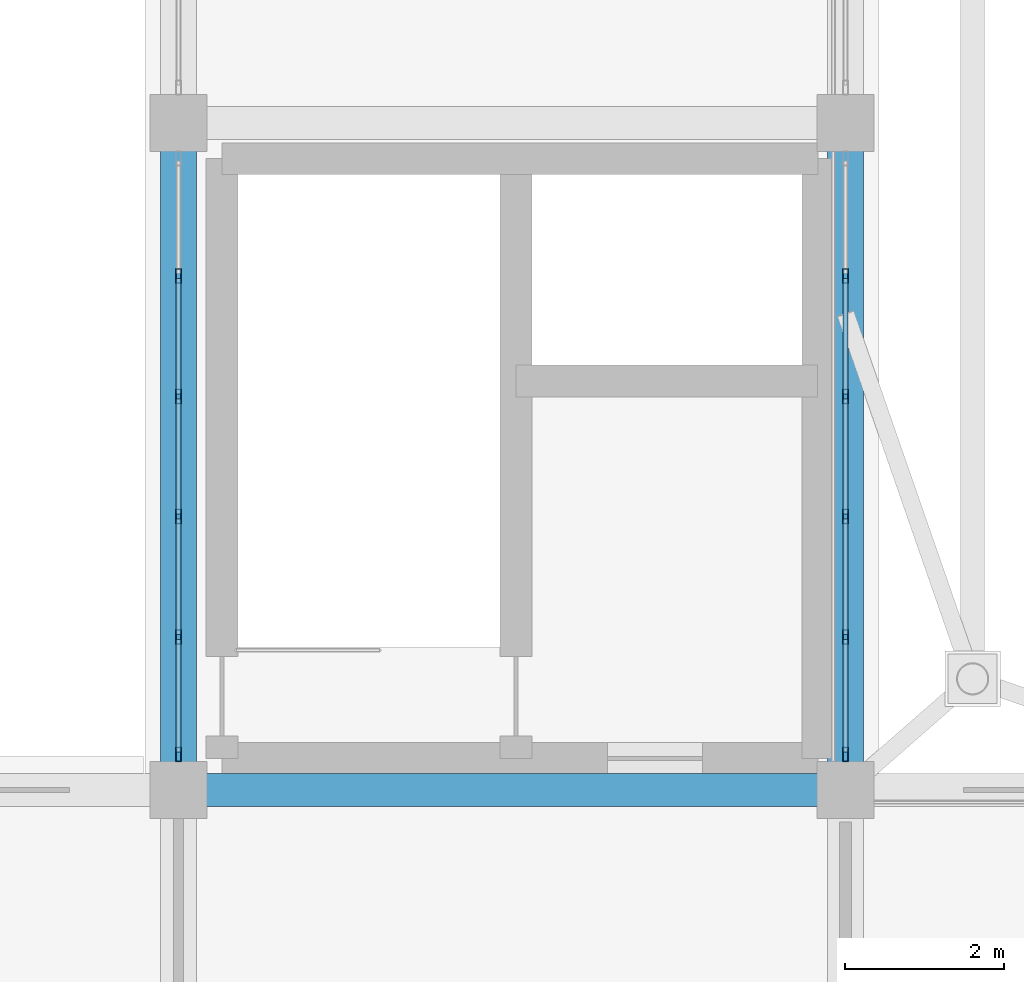
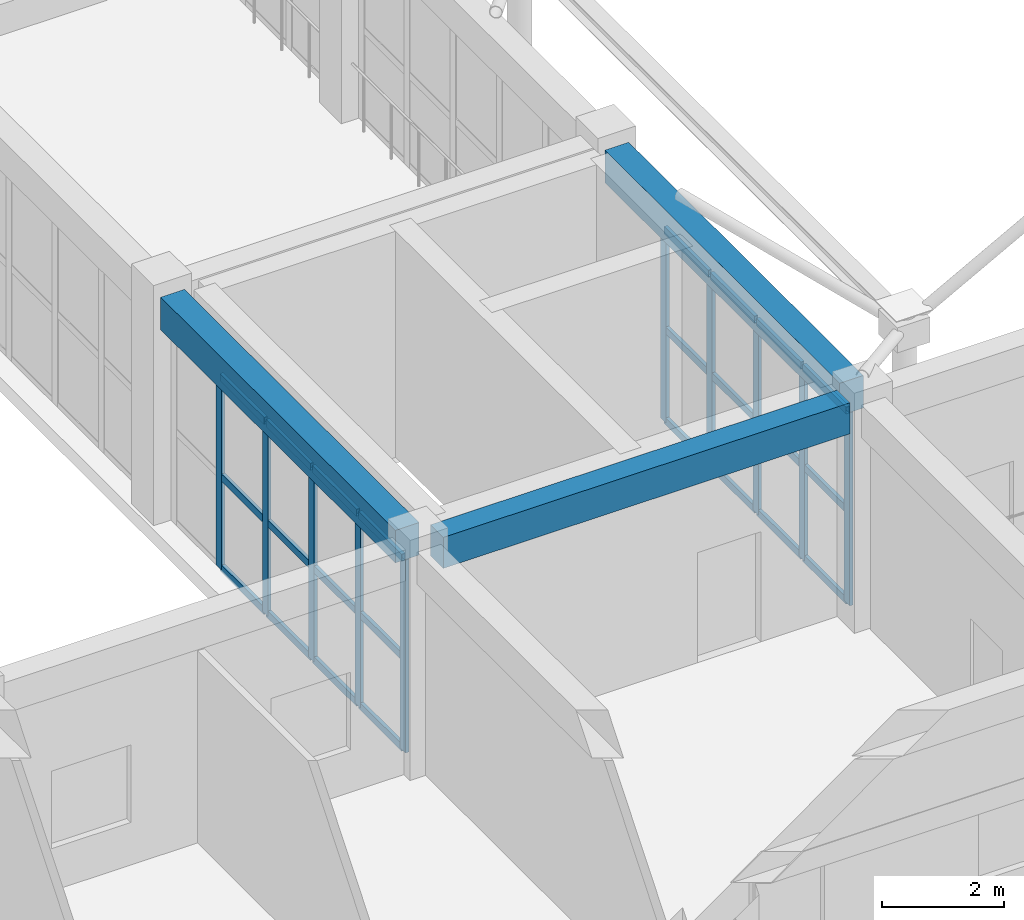
# One storey, part 91 of 158: 34 members, 3 beams, 2 elements without a shape of their own.
"""IFC4 building model written with IfcOpenShell, lengths in metres."""

import ifcopenshell
import ifcopenshell.guid

model = None  # the IFC model being written
_history = None  # IfcOwnerHistory: only IFC2X3 demands one
_inside = {}  # id of a spatial element -> (the spatial element, [elements in it])
_under = {}  # id of a project, library or spatial element -> (it, [spatial elements below it])
_declared = {}  # id of a project -> (the project, [libraries it declares])
_typed = {}  # id of a type object -> (the type object, [elements of that type])
_made_of = {}  # id of a material, layer set ... -> (it, [elements and type objects made of it])


def new_model(schema):
    """Start an empty IFC model of exactly this schema.

    Asked for "IFC4X3", IfcOpenShell would pick the latest addendum, in which some entities
    have other attributes; the version numbers below select the first issue.
    IFC2X3 requires an IfcOwnerHistory on every rooted entity: one is made here for all.
    """
    global model, _history
    if schema == "IFC4X3":
        model = ifcopenshell.file(schema_version=(4, 3, 0, 0))
    else:
        model = ifcopenshell.file(schema=schema)
    _inside.clear()
    _under.clear()
    _declared.clear()
    _typed.clear()
    _made_of.clear()
    _history = None
    if model.schema == "IFC2X3":
        org = make("IfcOrganization", Name="unknown")
        user = make(
            "IfcPersonAndOrganization",
            ThePerson=make("IfcPerson", FamilyName="unknown"),
            TheOrganization=org,
        )
        app = make(
            "IfcApplication",
            ApplicationDeveloper=org,
            Version="unknown",
            ApplicationFullName="unknown",
            ApplicationIdentifier="unknown",
        )
        _history = make(
            "IfcOwnerHistory",
            OwningUser=user,
            OwningApplication=app,
            ChangeAction="ADDED",
            CreationDate=0,
        )
    return model


def make(cls, **values):
    """One entity of the class cls with the attributes given. An attribute that is None is left unset."""
    return model.create_entity(
        cls, **{name: value for name, value in values.items() if value is not None}
    )


def rooted(cls, **values):
    """An entity with a GlobalId (a new one), such as an element, a storey or a relation."""
    return make(cls, GlobalId=ifcopenshell.guid.new(), OwnerHistory=_history, **values)


def si_unit(unit_type, name, prefix=None):
    """IfcSIUnit, for example si_unit("LENGTHUNIT", "METRE", prefix="MILLI")."""
    return make("IfcSIUnit", UnitType=unit_type, Prefix=prefix, Name=name)


def assignment(units):
    """IfcUnitAssignment: the units of a project."""
    return None if units is None else make("IfcUnitAssignment", Units=units)


def point(xyz):
    """IfcCartesianPoint."""
    return None if xyz is None else make("IfcCartesianPoint", Coordinates=xyz)


def direction(xyz):
    """IfcDirection."""
    return None if xyz is None else make("IfcDirection", DirectionRatios=xyz)


def frame(location, z_axis=None, x_axis=None):
    """IfcAxis2Placement3D, a coordinate frame: its origin and axes. An axis left out is left unset."""
    return make(
        "IfcAxis2Placement3D",
        Location=point(location),
        Axis=direction(z_axis),
        RefDirection=direction(x_axis),
    )


def frame_2d(location, x_axis=None):
    """IfcAxis2Placement2D, a coordinate frame in the plane: its origin and x axis."""
    return make(
        "IfcAxis2Placement2D", Location=point(location), RefDirection=direction(x_axis)
    )


def origin():
    """The frame at (0, 0, 0) with its axes left unset."""
    return frame((0.0, 0.0, 0.0))


def origin_2d():
    """The frame at (0, 0) in the plane with its x axis left unset."""
    return frame_2d((0.0, 0.0))


def place(relative_to, where):
    """IfcLocalPlacement: puts the frame where relative to a parent placement (None: the world)."""
    return make(
        "IfcLocalPlacement", PlacementRelTo=relative_to, RelativePlacement=where
    )


def context(
    kind, dimensions, precision=None, world=None, true_north=None, identifier=None
):
    """IfcGeometricRepresentationContext, for example the 3D "Model" context."""
    return make(
        "IfcGeometricRepresentationContext",
        ContextIdentifier=identifier,
        ContextType=kind,
        CoordinateSpaceDimension=dimensions,
        Precision=precision,
        WorldCoordinateSystem=world,
        TrueNorth=true_north,
    )


def subcontext(parent, identifier, kind, view, scale=None):
    """IfcGeometricRepresentationSubContext, for example "Body" below "Model"."""
    return make(
        "IfcGeometricRepresentationSubContext",
        ContextIdentifier=identifier,
        ContextType=kind,
        ParentContext=parent,
        TargetScale=scale,
        TargetView=view,
    )


def project(units=None, contexts=None):
    """IfcProject with its units and contexts."""
    return rooted(
        "IfcProject",
        Name="project",
        RepresentationContexts=contexts,
        UnitsInContext=assignment(units),
    )


def spatial(cls, under=None, at=None, **own):
    """A site, building, storey or space (cls), placed at a placement, below another one or the project."""
    s = rooted(cls, ObjectPlacement=at, **own)
    if under is not None:
        _under.setdefault(under.id(), (under, []))[1].append(s)
    return s


def profile(cls, at=None, kind="AREA", **sizes):
    """A parametric profile (cls). Its sizes go by their IFC names, for example OverallWidth=200.0."""
    return make(cls, ProfileType=kind, Position=at, **sizes)


def rectangle(**sizes):
    """IfcRectangleProfileDef."""
    return profile("IfcRectangleProfileDef", **sizes)


def hollow_rectangle(**sizes):
    """IfcRectangleHollowProfileDef."""
    return profile("IfcRectangleHollowProfileDef", **sizes)


def extrude(swept, where, along, depth):
    """IfcExtrudedAreaSolid: the profile swept, set in the frame where, extruded along a direction by depth."""
    return make(
        "IfcExtrudedAreaSolid",
        SweptArea=swept,
        Position=where,
        ExtrudedDirection=direction(along),
        Depth=depth,
    )


def shape(context_of_items, identifier, shape_type, items):
    """IfcShapeRepresentation: the items that make up one representation, for example the "Body"."""
    return make(
        "IfcShapeRepresentation",
        ContextOfItems=context_of_items,
        RepresentationIdentifier=identifier,
        RepresentationType=shape_type,
        Items=items,
    )


def material(Name=None, Category=None):
    """IfcMaterial."""
    return make("IfcMaterial", Name=Name, Category=Category)


def layer(
    of_material, thickness, ventilated=None, Name=None, Category=None, Priority=None
):
    """IfcMaterialLayer: one layer of a wall or slab, of a material (None: an air gap)."""
    return make(
        "IfcMaterialLayer",
        Material=of_material,
        LayerThickness=thickness,
        IsVentilated=ventilated,
        Name=Name,
        Category=Category,
        Priority=Priority,
    )


def layer_set(layers, Name=None):
    """IfcMaterialLayerSet."""
    return make("IfcMaterialLayerSet", MaterialLayers=layers, LayerSetName=Name)


def material_profile(
    of_material, cross_section, Name=None, Category=None, Priority=None
):
    """IfcMaterialProfile: a cross section and its material."""
    return make(
        "IfcMaterialProfile",
        Name=Name,
        Material=of_material,
        Profile=cross_section,
        Priority=Priority,
        Category=Category,
    )


def profile_set(profiles, Name=None, composite=None):
    """IfcMaterialProfileSet."""
    return make(
        "IfcMaterialProfileSet",
        Name=Name,
        MaterialProfiles=profiles,
        CompositeProfile=composite,
    )


def made_of(thing, what):
    """Note that an element or type object is made of a material, layer set ...; save() writes the relation."""
    if what is not None:
        _made_of.setdefault(what.id(), (what, []))[1].append(thing)
    return thing


def type_object(cls, material=None, **own):
    """A type object (cls), such as IfcWallType, which elements share."""
    return made_of(rooted(cls, **own), material)


def element(
    cls,
    number,
    at=None,
    inside=None,
    cuts=None,
    type_object=None,
    material=None,
    context=None,
    identifier="Body",
    shape_type=None,
    held_by="IfcProductDefinitionShape",
    body=None,
    shapes=None,
    **own,
):
    """One element of the class cls, such as IfcWall. Its Tag is "e" and its number.

    at: its placement. inside: the storey or other place that contains it. cuts: it is an
    opening in that element (IfcRelVoidsElement). A single representation is given by context,
    identifier, shape_type and body (its items); several are given by shapes. held_by: the class
    of the entity that holds the representations. save() writes the other relations.
    """
    e = rooted(cls, Tag="e%d" % number, ObjectPlacement=at, **own)
    if body is not None:
        shapes = [shape(context, identifier, shape_type, body)]
    if shapes is not None:
        e.Representation = make(held_by, Representations=shapes)
    if inside is not None:
        _inside.setdefault(inside.id(), (inside, []))[1].append(e)
    if cuts is not None:
        rooted(
            "IfcRelVoidsElement", RelatingBuildingElement=cuts, RelatedOpeningElement=e
        )
    if type_object is not None:
        _typed.setdefault(type_object.id(), (type_object, []))[1].append(e)
    return made_of(e, material)


def aggregate(whole, parts):
    """IfcRelAggregates: a whole, such as a stair, and the parts it consists of."""
    return rooted("IfcRelAggregates", RelatingObject=whole, RelatedObjects=parts)


def save(model, path):
    """Write the relations noted so far, then the file.

    IfcRelAggregates (storeys below a building ...), IfcRelContainedInSpatialStructure (elements
    in a storey), IfcRelDefinesByType, IfcRelAssociatesMaterial and IfcRelDeclares: one each for
    every whole, place, type object, material and project.
    """
    for whole, parts in _under.values():
        aggregate(whole, parts)
    for where, things in _inside.values():
        rooted(
            "IfcRelContainedInSpatialStructure",
            RelatedElements=things,
            RelatingStructure=where,
        )
    for kind, things in _typed.values():
        rooted("IfcRelDefinesByType", RelatedObjects=things, RelatingType=kind)
    for what, things in _made_of.values():
        rooted("IfcRelAssociatesMaterial", RelatedObjects=things, RelatingMaterial=what)
    for by, libraries in _declared.values():
        rooted("IfcRelDeclares", RelatingContext=by, RelatedDefinitions=libraries)
    model.write(path)


model = new_model("IFC4")

# Units and contexts
model_context = context("Model", 3, precision=1e-05, world=origin(), true_north=direction((0.0, 1.0)))
body_context = subcontext(model_context, "Body", "Model", "MODEL_VIEW")
ifc_project = project(units=[si_unit("LENGTHUNIT", "METRE"), si_unit("AREAUNIT", "SQUARE_METRE"), si_unit("VOLUMEUNIT", "CUBIC_METRE"), si_unit("PLANEANGLEUNIT", "RADIAN"), si_unit("MASSUNIT", "GRAM", prefix="KILO")], contexts=[model_context])

# Site, building, storey
site_placement = place(None, origin())
site = spatial("IfcSite", under=ifc_project, at=site_placement, CompositionType="ELEMENT")
building_placement = place(site_placement, origin())
building = spatial("IfcBuilding", under=site, at=building_placement, Name="Trelvath General Hospital", CompositionType="ELEMENT")
storey_placement = place(building_placement, frame((0.0, 0.0, 8.10009765625)))
storey = spatial("IfcBuildingStorey", under=building, at=storey_placement, Name="L02", CompositionType="ELEMENT", Elevation=8.10009765625)

# Beams
ifc_material_1 = material(Name="Concrete C35/45", Category="concrete")
ifc_material_profile_1 = material_profile(ifc_material_1, rectangle(XDim=0.419921875, YDim=0.6201171875, at=origin_2d()), Name="RCB420x620")
ifc_profile_set_1 = profile_set([ifc_material_profile_1], Name="Concrete C35/45")
beam_type_1 = type_object("IfcBeamType", Name="Beam RC420x620", PredefinedType="BEAM", material=ifc_profile_set_1)
beam_placement = place(storey_placement, frame((134.7548828125, 25.199951171875, 4.2099609375), z_axis=(1.0, 0.0, 0.0), x_axis=(0.0, 1.0, 0.0)))
element("IfcBeam", 1, at=beam_placement, inside=storey, type_object=beam_type_1, Name="Grid Beam BX-216D", PredefinedType="BEAM", context=body_context, shape_type="SweptSolid", body=[
    extrude(rectangle(XDim=0.419921875, YDim=0.6201171875, at=origin_2d()), origin(), (0.0, 0.0, 1.0), 7.690185546875),
])
ifc_material_2 = material(Name="Concrete C35/45", Category="concrete")
ifc_material_profile_2 = material_profile(ifc_material_2, rectangle(XDim=0.449951171875, YDim=0.64990234375, at=origin_2d()), Name="RCB450x650")
ifc_profile_set_2 = profile_set([ifc_material_profile_2], Name="Concrete C35/45")
beam_type_2 = type_object("IfcBeamType", Name="Beam RC450x650", PredefinedType="BEAM", material=ifc_profile_set_2)
for number, where, z_axis, x_axis, name in (
    (2, (134.39990234375, 25.554931640625, 4.19482421875), (0.0, 1.0, 0.0), (-1.0, 0.0, 0.0), "Grid Beam BY-216D"),
    (3, (142.800048828125, 25.554931640625, 4.19482421875), (0.0, 1.0, 0.0), (-1.0, 0.0, 0.0), "Grid Beam BY-217D"),
):
    element("IfcBeam", number, at=place(storey_placement, frame(where, z_axis=z_axis, x_axis=x_axis)), inside=storey, type_object=beam_type_2, Name=name, PredefinedType="BEAM", context=body_context, shape_type="SweptSolid", body=[
        extrude(rectangle(XDim=0.449951171875, YDim=0.64990234375, at=origin_2d()), origin(), (0.0, 0.0, 1.0), 7.690185546875),
    ])

# Curtain wall, members
ifc_material_3 = material(Name="Anodised aluminium and low-E glass", Category="aluminium")
ifc_layer = layer(ifc_material_3, 0.179931640625)
ifc_layer_set = layer_set([ifc_layer], Name="Anodised aluminium and low-E glass")
curtain_wall_type = type_object("IfcCurtainWallType", Name="CW Facade 757 386 18", PredefinedType="USERDEFINED", material=ifc_layer_set)
curtain_wall_1_placement = place(storey_placement, origin())
curtain_wall_1 = element("IfcCurtainWall", 4, at=curtain_wall_1_placement, inside=storey, type_object=curtain_wall_type, Name="Facade Curtain Wall CW-046", ObjectType="Unitised Glazed Curtain Wall", PredefinedType="USERDEFINED")
ifc_material_4 = material(Name="Anodised aluminium", Category="aluminium")
ifc_material_profile_3 = material_profile(ifc_material_4, hollow_rectangle(XDim=0.06494140625, YDim=0.179931640625, WallThickness=0.0048828125, at=origin_2d()), Name="RHS65x180x5")
ifc_profile_set_3 = profile_set([ifc_material_profile_3], Name="Anodised aluminium")
member_type_1 = type_object("IfcMemberType", Name="CurtainMullion 65x180", PredefinedType="MULLION", material=ifc_profile_set_3)
member_1_placement = place(storey_placement, frame((134.39990234375, 25.6474609375, 0.0), z_axis=(0.0, 0.0, 1.0), x_axis=(-1.0, 0.0, 0.0)))
member_1 = element("IfcMember", 5, at=member_1_placement, type_object=member_type_1, Name="CW-046 mullion 1", PredefinedType="MULLION", context=body_context, shape_type="SweptSolid", body=[
    extrude(hollow_rectangle(XDim=0.06494140625, YDim=0.179931640625, WallThickness=0.0048828125, at=origin_2d()), origin(), (0.0, 0.0, 1.0), 3.85986328125),
])
member_2_placement = place(storey_placement, frame((134.39990234375, 27.12890625, 0.0), z_axis=(0.0, 0.0, 1.0), x_axis=(-1.0, 0.0, 0.0)))
member_2 = element("IfcMember", 6, at=member_2_placement, type_object=member_type_1, Name="CW-046 mullion 2", PredefinedType="MULLION", context=body_context, shape_type="SweptSolid", body=[
    extrude(hollow_rectangle(XDim=0.06494140625, YDim=0.179931640625, WallThickness=0.0048828125, at=origin_2d()), origin(), (0.0, 0.0, 1.0), 3.85986328125),
])
member_3_placement = place(storey_placement, frame((134.39990234375, 28.64306640625, 0.0), z_axis=(0.0, 0.0, 1.0), x_axis=(-1.0, 0.0, 0.0)))
member_3 = element("IfcMember", 7, at=member_3_placement, type_object=member_type_1, Name="CW-046 mullion 3", PredefinedType="MULLION", context=body_context, shape_type="SweptSolid", body=[
    extrude(hollow_rectangle(XDim=0.06494140625, YDim=0.179931640625, WallThickness=0.0048828125, at=origin_2d()), origin(), (0.0, 0.0, 1.0), 3.85986328125),
])
member_4_placement = place(storey_placement, frame((134.39990234375, 30.156982421875, 0.0), z_axis=(0.0, 0.0, 1.0), x_axis=(-1.0, 0.0, 0.0)))
member_4 = element("IfcMember", 8, at=member_4_placement, type_object=member_type_1, Name="CW-046 mullion 4", PredefinedType="MULLION", context=body_context, shape_type="SweptSolid", body=[
    extrude(hollow_rectangle(XDim=0.06494140625, YDim=0.179931640625, WallThickness=0.0048828125, at=origin_2d()), origin(), (0.0, 0.0, 1.0), 3.85986328125),
])
member_5_placement = place(storey_placement, frame((134.39990234375, 31.6708984375, 0.0), z_axis=(0.0, 0.0, 1.0), x_axis=(-1.0, 0.0, 0.0)))
member_5 = element("IfcMember", 9, at=member_5_placement, type_object=member_type_1, Name="CW-046 mullion 5", PredefinedType="MULLION", context=body_context, shape_type="SweptSolid", body=[
    extrude(hollow_rectangle(XDim=0.06494140625, YDim=0.179931640625, WallThickness=0.0048828125, at=origin_2d()), origin(), (0.0, 0.0, 1.0), 3.85986328125),
])

curtain_wall_2_placement = place(storey_placement, origin())
curtain_wall_2 = element("IfcCurtainWall", 10, at=curtain_wall_2_placement, inside=storey, type_object=curtain_wall_type, Name="Facade Curtain Wall CW-047", ObjectType="Unitised Glazed Curtain Wall", PredefinedType="USERDEFINED")
member_6_placement = place(storey_placement, frame((142.800048828125, 31.6708984375, 0.0), z_axis=(0.0, 0.0, 1.0), x_axis=(1.0, 0.0, 0.0)))
member_6 = element("IfcMember", 11, at=member_6_placement, type_object=member_type_1, Name="CW-047 mullion 2", PredefinedType="MULLION", context=body_context, shape_type="SweptSolid", body=[
    extrude(hollow_rectangle(XDim=0.06494140625, YDim=0.179931640625, WallThickness=0.0048828125, at=origin_2d()), origin(), (0.0, 0.0, 1.0), 3.85986328125),
])
member_7_placement = place(storey_placement, frame((142.800048828125, 30.156982421875, 0.0), z_axis=(0.0, 0.0, 1.0), x_axis=(1.0, 0.0, 0.0)))
member_7 = element("IfcMember", 12, at=member_7_placement, type_object=member_type_1, Name="CW-047 mullion 3", PredefinedType="MULLION", context=body_context, shape_type="SweptSolid", body=[
    extrude(hollow_rectangle(XDim=0.06494140625, YDim=0.179931640625, WallThickness=0.0048828125, at=origin_2d()), origin(), (0.0, 0.0, 1.0), 3.85986328125),
])
member_8_placement = place(storey_placement, frame((142.800048828125, 28.64306640625, 0.0), z_axis=(0.0, 0.0, 1.0), x_axis=(1.0, 0.0, 0.0)))
member_8 = element("IfcMember", 13, at=member_8_placement, type_object=member_type_1, Name="CW-047 mullion 4", PredefinedType="MULLION", context=body_context, shape_type="SweptSolid", body=[
    extrude(hollow_rectangle(XDim=0.06494140625, YDim=0.179931640625, WallThickness=0.0048828125, at=origin_2d()), origin(), (0.0, 0.0, 1.0), 3.85986328125),
])
member_9_placement = place(storey_placement, frame((142.800048828125, 27.12890625, 0.0), z_axis=(0.0, 0.0, 1.0), x_axis=(1.0, 0.0, 0.0)))
member_9 = element("IfcMember", 14, at=member_9_placement, type_object=member_type_1, Name="CW-047 mullion 5", PredefinedType="MULLION", context=body_context, shape_type="SweptSolid", body=[
    extrude(hollow_rectangle(XDim=0.06494140625, YDim=0.179931640625, WallThickness=0.0048828125, at=origin_2d()), origin(), (0.0, 0.0, 1.0), 3.85986328125),
])
member_10_placement = place(storey_placement, frame((142.800048828125, 25.6474609375, 0.0), z_axis=(0.0, 0.0, 1.0), x_axis=(1.0, 0.0, 0.0)))
member_10 = element("IfcMember", 15, at=member_10_placement, type_object=member_type_1, Name="CW-047 mullion 6", PredefinedType="MULLION", context=body_context, shape_type="SweptSolid", body=[
    extrude(hollow_rectangle(XDim=0.06494140625, YDim=0.179931640625, WallThickness=0.0048828125, at=origin_2d()), origin(), (0.0, 0.0, 1.0), 3.85986328125),
])

# Member
ifc_material_5 = material(Name="Anodised aluminium", Category="aluminium")
ifc_material_profile_4 = material_profile(ifc_material_5, hollow_rectangle(XDim=0.06494140625, YDim=0.14501953125, WallThickness=0.00390625, at=origin_2d()), Name="RHS65x145x4")
ifc_profile_set_4 = profile_set([ifc_material_profile_4], Name="Anodised aluminium")
member_type_2 = type_object("IfcMemberType", Name="CurtainTransom 65x145", PredefinedType="USERDEFINED", material=ifc_profile_set_4)
member_11_placement = place(storey_placement, frame((134.39990234375, 25.679931640625, 0.032470703125), z_axis=(0.0, 1.0, 0.0), x_axis=(-1.0, 0.0, 0.0)))
member_11 = element("IfcMember", 16, at=member_11_placement, type_object=member_type_2, Name="CW-046 transom 1.1", ObjectType="TRANSOM", PredefinedType="USERDEFINED", context=body_context, shape_type="SweptSolid", body=[
    extrude(hollow_rectangle(XDim=0.06494140625, YDim=0.14501953125, WallThickness=0.00390625, at=origin_2d()), origin(), (0.0, 0.0, 1.0), 1.41650390625),
])

member_12_placement = place(storey_placement, frame((134.39990234375, 25.679931640625, 1.852783203125), z_axis=(0.0, 1.0, 0.0), x_axis=(-1.0, 0.0, 0.0)))
member_12 = element("IfcMember", 17, at=member_12_placement, type_object=member_type_2, Name="CW-046 transom 1.2", ObjectType="TRANSOM", PredefinedType="USERDEFINED", context=body_context, shape_type="SweptSolid", body=[
    extrude(hollow_rectangle(XDim=0.06494140625, YDim=0.14501953125, WallThickness=0.00390625, at=origin_2d()), origin(), (0.0, 0.0, 1.0), 1.41650390625),
])

member_13_placement = place(storey_placement, frame((134.39990234375, 25.679931640625, 3.827392578125), z_axis=(0.0, 1.0, 0.0), x_axis=(-1.0, 0.0, 0.0)))
member_13 = element("IfcMember", 18, at=member_13_placement, type_object=member_type_2, Name="CW-046 transom 1.3", ObjectType="TRANSOM", PredefinedType="USERDEFINED", context=body_context, shape_type="SweptSolid", body=[
    extrude(hollow_rectangle(XDim=0.06494140625, YDim=0.14501953125, WallThickness=0.00390625, at=origin_2d()), origin(), (0.0, 0.0, 1.0), 1.41650390625),
])

member_14_placement = place(storey_placement, frame((134.39990234375, 27.16162109375, 0.032470703125), z_axis=(0.0, 1.0, 0.0), x_axis=(-1.0, 0.0, 0.0)))
member_14 = element("IfcMember", 19, at=member_14_placement, type_object=member_type_2, Name="CW-046 transom 2.1", ObjectType="TRANSOM", PredefinedType="USERDEFINED", context=body_context, shape_type="SweptSolid", body=[
    extrude(hollow_rectangle(XDim=0.06494140625, YDim=0.14501953125, WallThickness=0.00390625, at=origin_2d()), origin(), (0.0, 0.0, 1.0), 1.448974609375),
])

member_15_placement = place(storey_placement, frame((134.39990234375, 27.16162109375, 1.852783203125), z_axis=(0.0, 1.0, 0.0), x_axis=(-1.0, 0.0, 0.0)))
member_15 = element("IfcMember", 20, at=member_15_placement, type_object=member_type_2, Name="CW-046 transom 2.2", ObjectType="TRANSOM", PredefinedType="USERDEFINED", context=body_context, shape_type="SweptSolid", body=[
    extrude(hollow_rectangle(XDim=0.06494140625, YDim=0.14501953125, WallThickness=0.00390625, at=origin_2d()), origin(), (0.0, 0.0, 1.0), 1.448974609375),
])

member_16_placement = place(storey_placement, frame((134.39990234375, 27.16162109375, 3.827392578125), z_axis=(0.0, 1.0, 0.0), x_axis=(-1.0, 0.0, 0.0)))
member_16 = element("IfcMember", 21, at=member_16_placement, type_object=member_type_2, Name="CW-046 transom 2.3", ObjectType="TRANSOM", PredefinedType="USERDEFINED", context=body_context, shape_type="SweptSolid", body=[
    extrude(hollow_rectangle(XDim=0.06494140625, YDim=0.14501953125, WallThickness=0.00390625, at=origin_2d()), origin(), (0.0, 0.0, 1.0), 1.448974609375),
])

member_17_placement = place(storey_placement, frame((134.39990234375, 28.675537109375, 0.032470703125), z_axis=(0.0, 1.0, 0.0), x_axis=(-1.0, 0.0, 0.0)))
member_17 = element("IfcMember", 22, at=member_17_placement, type_object=member_type_2, Name="CW-046 transom 3.1", ObjectType="TRANSOM", PredefinedType="USERDEFINED", context=body_context, shape_type="SweptSolid", body=[
    extrude(hollow_rectangle(XDim=0.06494140625, YDim=0.14501953125, WallThickness=0.00390625, at=origin_2d()), origin(), (0.0, 0.0, 1.0), 1.448974609375),
])

member_18_placement = place(storey_placement, frame((134.39990234375, 28.675537109375, 1.852783203125), z_axis=(0.0, 1.0, 0.0), x_axis=(-1.0, 0.0, 0.0)))
member_18 = element("IfcMember", 23, at=member_18_placement, type_object=member_type_2, Name="CW-046 transom 3.2", ObjectType="TRANSOM", PredefinedType="USERDEFINED", context=body_context, shape_type="SweptSolid", body=[
    extrude(hollow_rectangle(XDim=0.06494140625, YDim=0.14501953125, WallThickness=0.00390625, at=origin_2d()), origin(), (0.0, 0.0, 1.0), 1.448974609375),
])

member_19_placement = place(storey_placement, frame((134.39990234375, 28.675537109375, 3.827392578125), z_axis=(0.0, 1.0, 0.0), x_axis=(-1.0, 0.0, 0.0)))
member_19 = element("IfcMember", 24, at=member_19_placement, type_object=member_type_2, Name="CW-046 transom 3.3", ObjectType="TRANSOM", PredefinedType="USERDEFINED", context=body_context, shape_type="SweptSolid", body=[
    extrude(hollow_rectangle(XDim=0.06494140625, YDim=0.14501953125, WallThickness=0.00390625, at=origin_2d()), origin(), (0.0, 0.0, 1.0), 1.448974609375),
])

member_20_placement = place(storey_placement, frame((134.39990234375, 30.189453125, 0.032470703125), z_axis=(0.0, 1.0, 0.0), x_axis=(-1.0, 0.0, 0.0)))
member_20 = element("IfcMember", 25, at=member_20_placement, type_object=member_type_2, Name="CW-046 transom 4.1", ObjectType="TRANSOM", PredefinedType="USERDEFINED", context=body_context, shape_type="SweptSolid", body=[
    extrude(hollow_rectangle(XDim=0.06494140625, YDim=0.14501953125, WallThickness=0.00390625, at=origin_2d()), origin(), (0.0, 0.0, 1.0), 1.448974609375),
])

member_21_placement = place(storey_placement, frame((134.39990234375, 30.189453125, 1.852783203125), z_axis=(0.0, 1.0, 0.0), x_axis=(-1.0, 0.0, 0.0)))
member_21 = element("IfcMember", 26, at=member_21_placement, type_object=member_type_2, Name="CW-046 transom 4.2", ObjectType="TRANSOM", PredefinedType="USERDEFINED", context=body_context, shape_type="SweptSolid", body=[
    extrude(hollow_rectangle(XDim=0.06494140625, YDim=0.14501953125, WallThickness=0.00390625, at=origin_2d()), origin(), (0.0, 0.0, 1.0), 1.448974609375),
])

member_22_placement = place(storey_placement, frame((134.39990234375, 30.189453125, 3.827392578125), z_axis=(0.0, 1.0, 0.0), x_axis=(-1.0, 0.0, 0.0)))
member_22 = element("IfcMember", 27, at=member_22_placement, type_object=member_type_2, Name="CW-046 transom 4.3", ObjectType="TRANSOM", PredefinedType="USERDEFINED", context=body_context, shape_type="SweptSolid", body=[
    extrude(hollow_rectangle(XDim=0.06494140625, YDim=0.14501953125, WallThickness=0.00390625, at=origin_2d()), origin(), (0.0, 0.0, 1.0), 1.448974609375),
])

aggregate(curtain_wall_1, [member_1, member_2, member_3, member_4, member_5, member_11, member_12, member_13, member_14, member_15, member_16, member_17, member_18, member_19, member_20, member_21, member_22])

member_23_placement = place(storey_placement, frame((142.800048828125, 31.638427734375, 0.032470703125), z_axis=(0.0, -1.0, 0.0), x_axis=(1.0, 0.0, 0.0)))
member_23 = element("IfcMember", 28, at=member_23_placement, type_object=member_type_2, Name="CW-047 transom 2.1", ObjectType="TRANSOM", PredefinedType="USERDEFINED", context=body_context, shape_type="SweptSolid", body=[
    extrude(hollow_rectangle(XDim=0.06494140625, YDim=0.14501953125, WallThickness=0.00390625, at=origin_2d()), origin(), (0.0, 0.0, 1.0), 1.448974609375),
])

member_24_placement = place(storey_placement, frame((142.800048828125, 31.638427734375, 1.852783203125), z_axis=(0.0, -1.0, 0.0), x_axis=(1.0, 0.0, 0.0)))
member_24 = element("IfcMember", 29, at=member_24_placement, type_object=member_type_2, Name="CW-047 transom 2.2", ObjectType="TRANSOM", PredefinedType="USERDEFINED", context=body_context, shape_type="SweptSolid", body=[
    extrude(hollow_rectangle(XDim=0.06494140625, YDim=0.14501953125, WallThickness=0.00390625, at=origin_2d()), origin(), (0.0, 0.0, 1.0), 1.448974609375),
])

member_25_placement = place(storey_placement, frame((142.800048828125, 31.638427734375, 3.827392578125), z_axis=(0.0, -1.0, 0.0), x_axis=(1.0, 0.0, 0.0)))
member_25 = element("IfcMember", 30, at=member_25_placement, type_object=member_type_2, Name="CW-047 transom 2.3", ObjectType="TRANSOM", PredefinedType="USERDEFINED", context=body_context, shape_type="SweptSolid", body=[
    extrude(hollow_rectangle(XDim=0.06494140625, YDim=0.14501953125, WallThickness=0.00390625, at=origin_2d()), origin(), (0.0, 0.0, 1.0), 1.448974609375),
])

member_26_placement = place(storey_placement, frame((142.800048828125, 30.12451171875, 0.032470703125), z_axis=(0.0, -1.0, 0.0), x_axis=(1.0, 0.0, 0.0)))
member_26 = element("IfcMember", 31, at=member_26_placement, type_object=member_type_2, Name="CW-047 transom 3.1", ObjectType="TRANSOM", PredefinedType="USERDEFINED", context=body_context, shape_type="SweptSolid", body=[
    extrude(hollow_rectangle(XDim=0.06494140625, YDim=0.14501953125, WallThickness=0.00390625, at=origin_2d()), origin(), (0.0, 0.0, 1.0), 1.448974609375),
])

member_27_placement = place(storey_placement, frame((142.800048828125, 30.12451171875, 1.852783203125), z_axis=(0.0, -1.0, 0.0), x_axis=(1.0, 0.0, 0.0)))
member_27 = element("IfcMember", 32, at=member_27_placement, type_object=member_type_2, Name="CW-047 transom 3.2", ObjectType="TRANSOM", PredefinedType="USERDEFINED", context=body_context, shape_type="SweptSolid", body=[
    extrude(hollow_rectangle(XDim=0.06494140625, YDim=0.14501953125, WallThickness=0.00390625, at=origin_2d()), origin(), (0.0, 0.0, 1.0), 1.448974609375),
])

member_28_placement = place(storey_placement, frame((142.800048828125, 30.12451171875, 3.827392578125), z_axis=(0.0, -1.0, 0.0), x_axis=(1.0, 0.0, 0.0)))
member_28 = element("IfcMember", 33, at=member_28_placement, type_object=member_type_2, Name="CW-047 transom 3.3", ObjectType="TRANSOM", PredefinedType="USERDEFINED", context=body_context, shape_type="SweptSolid", body=[
    extrude(hollow_rectangle(XDim=0.06494140625, YDim=0.14501953125, WallThickness=0.00390625, at=origin_2d()), origin(), (0.0, 0.0, 1.0), 1.448974609375),
])

member_29_placement = place(storey_placement, frame((142.800048828125, 28.610595703125, 0.032470703125), z_axis=(0.0, -1.0, 0.0), x_axis=(1.0, 0.0, 0.0)))
member_29 = element("IfcMember", 34, at=member_29_placement, type_object=member_type_2, Name="CW-047 transom 4.1", ObjectType="TRANSOM", PredefinedType="USERDEFINED", context=body_context, shape_type="SweptSolid", body=[
    extrude(hollow_rectangle(XDim=0.06494140625, YDim=0.14501953125, WallThickness=0.00390625, at=origin_2d()), origin(), (0.0, 0.0, 1.0), 1.448974609375),
])

member_30_placement = place(storey_placement, frame((142.800048828125, 28.610595703125, 1.852783203125), z_axis=(0.0, -1.0, 0.0), x_axis=(1.0, 0.0, 0.0)))
member_30 = element("IfcMember", 35, at=member_30_placement, type_object=member_type_2, Name="CW-047 transom 4.2", ObjectType="TRANSOM", PredefinedType="USERDEFINED", context=body_context, shape_type="SweptSolid", body=[
    extrude(hollow_rectangle(XDim=0.06494140625, YDim=0.14501953125, WallThickness=0.00390625, at=origin_2d()), origin(), (0.0, 0.0, 1.0), 1.448974609375),
])

member_31_placement = place(storey_placement, frame((142.800048828125, 28.610595703125, 3.827392578125), z_axis=(0.0, -1.0, 0.0), x_axis=(1.0, 0.0, 0.0)))
member_31 = element("IfcMember", 36, at=member_31_placement, type_object=member_type_2, Name="CW-047 transom 4.3", ObjectType="TRANSOM", PredefinedType="USERDEFINED", context=body_context, shape_type="SweptSolid", body=[
    extrude(hollow_rectangle(XDim=0.06494140625, YDim=0.14501953125, WallThickness=0.00390625, at=origin_2d()), origin(), (0.0, 0.0, 1.0), 1.448974609375),
])

member_32_placement = place(storey_placement, frame((142.800048828125, 27.096435546875, 0.032470703125), z_axis=(0.0, -1.0, 0.0), x_axis=(1.0, 0.0, 0.0)))
member_32 = element("IfcMember", 37, at=member_32_placement, type_object=member_type_2, Name="CW-047 transom 5.1", ObjectType="TRANSOM", PredefinedType="USERDEFINED", context=body_context, shape_type="SweptSolid", body=[
    extrude(hollow_rectangle(XDim=0.06494140625, YDim=0.14501953125, WallThickness=0.00390625, at=origin_2d()), origin(), (0.0, 0.0, 1.0), 1.41650390625),
])

member_33_placement = place(storey_placement, frame((142.800048828125, 27.096435546875, 1.852783203125), z_axis=(0.0, -1.0, 0.0), x_axis=(1.0, 0.0, 0.0)))
member_33 = element("IfcMember", 38, at=member_33_placement, type_object=member_type_2, Name="CW-047 transom 5.2", ObjectType="TRANSOM", PredefinedType="USERDEFINED", context=body_context, shape_type="SweptSolid", body=[
    extrude(hollow_rectangle(XDim=0.06494140625, YDim=0.14501953125, WallThickness=0.00390625, at=origin_2d()), origin(), (0.0, 0.0, 1.0), 1.41650390625),
])

member_34_placement = place(storey_placement, frame((142.800048828125, 27.096435546875, 3.827392578125), z_axis=(0.0, -1.0, 0.0), x_axis=(1.0, 0.0, 0.0)))
member_34 = element("IfcMember", 39, at=member_34_placement, type_object=member_type_2, Name="CW-047 transom 5.3", ObjectType="TRANSOM", PredefinedType="USERDEFINED", context=body_context, shape_type="SweptSolid", body=[
    extrude(hollow_rectangle(XDim=0.06494140625, YDim=0.14501953125, WallThickness=0.00390625, at=origin_2d()), origin(), (0.0, 0.0, 1.0), 1.41650390625),
])

aggregate(curtain_wall_2, [member_6, member_7, member_8, member_9, member_10, member_23, member_24, member_25, member_26, member_27, member_28, member_29, member_30, member_31, member_32, member_33, member_34])

save(model, "model.ifc")
